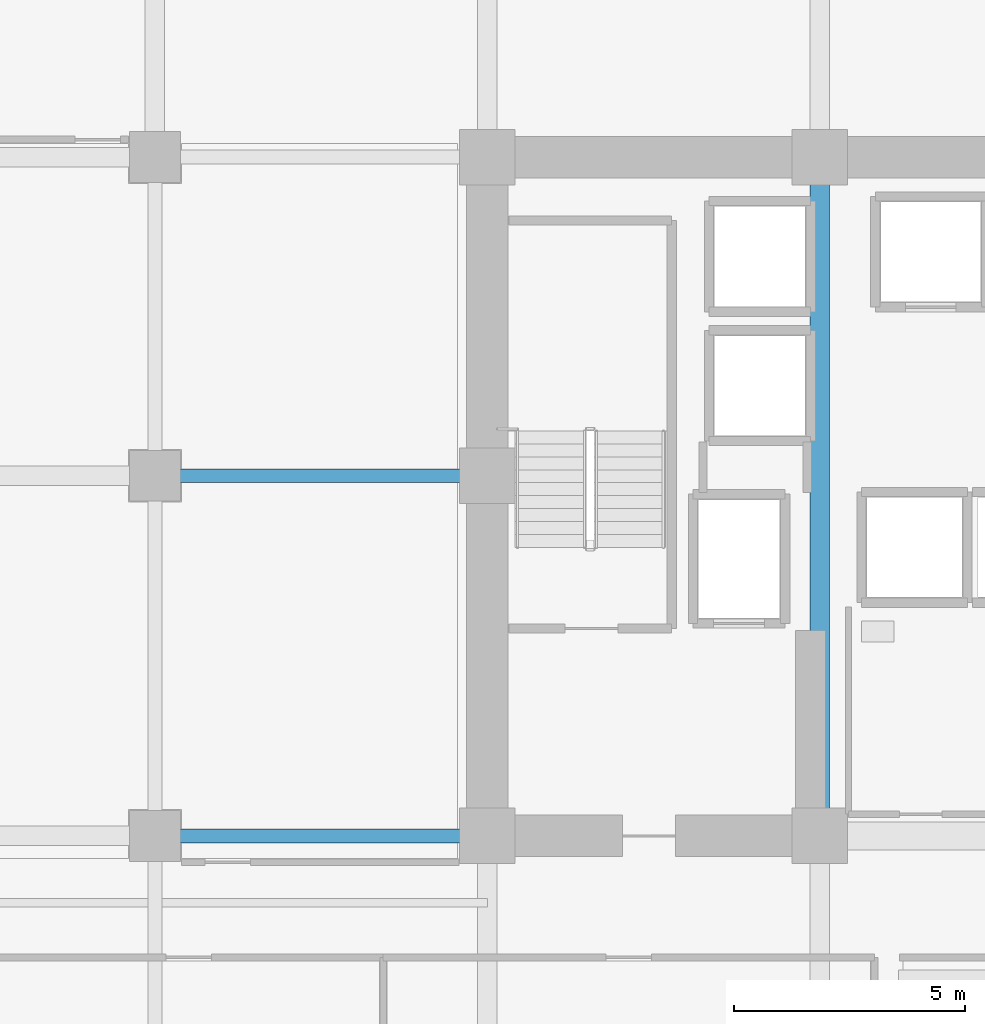
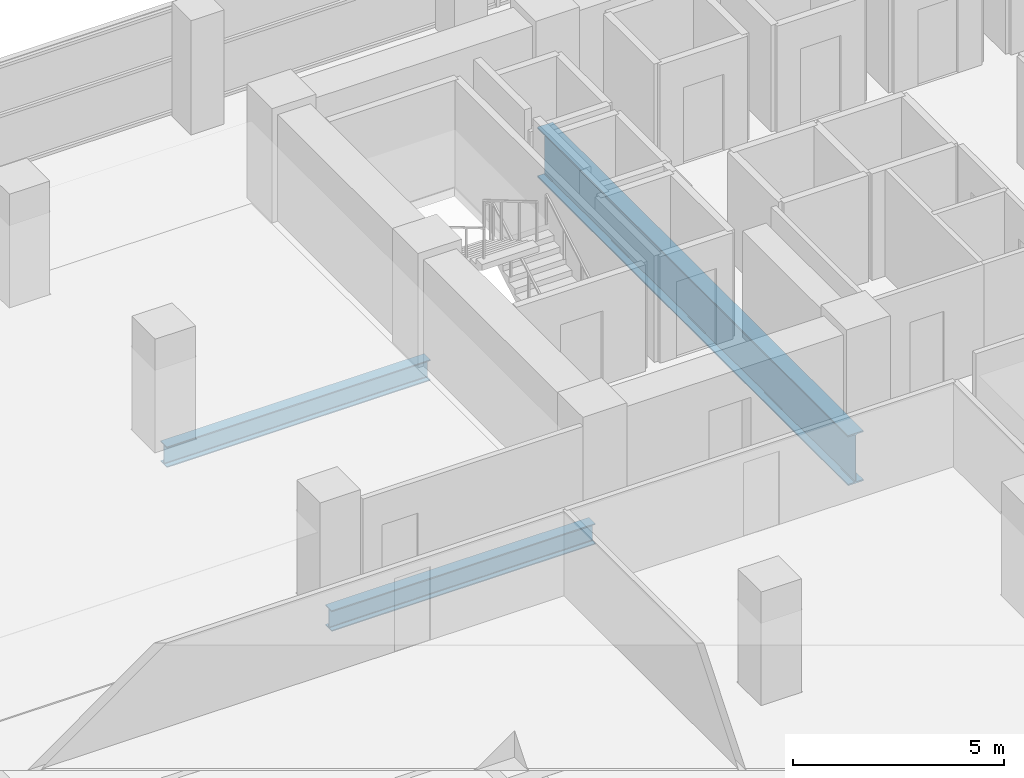
# One storey, part 8 of 32: 3 beams.
"""IFC4 building model written with IfcOpenShell, lengths in metres."""

from ifc_helpers import new_model, si_unit, direction, frame, origin, origin_2d, place, context, subcontext, project, spatial, i_section, extrude, material, material_profile, profile_set, type_object, element, save


model = new_model("IFC4")

# Units and contexts
model_context = context("Model", 3, precision=1e-05, world=origin(), true_north=direction((0.0, 1.0)))
body_context = subcontext(model_context, "Body", "Model", "MODEL_VIEW")
ifc_project = project(units=[si_unit("LENGTHUNIT", "METRE"), si_unit("AREAUNIT", "SQUARE_METRE"), si_unit("VOLUMEUNIT", "CUBIC_METRE"), si_unit("PLANEANGLEUNIT", "RADIAN"), si_unit("MASSUNIT", "GRAM", prefix="KILO")], contexts=[model_context])

# Site, building, storey
site_placement = place(None, origin())
site = spatial("IfcSite", under=ifc_project, at=site_placement, CompositionType="ELEMENT")
building_placement = place(site_placement, origin())
building = spatial("IfcBuilding", under=site, at=building_placement, Name="Zarnakvel Exchange Tower", CompositionType="ELEMENT")
storey_placement = place(building_placement, frame((0.0, 0.0, 27.39990234375)))
storey = spatial("IfcBuildingStorey", under=building, at=storey_placement, Name="L06", CompositionType="ELEMENT", Elevation=27.39990234375)

# Beams
ifc_material_1 = material(Name="Steel S355", Category="steel")
ifc_material_profile_1 = material_profile(ifc_material_1, i_section(OverallWidth=0.300048828125, OverallDepth=0.60009765625, WebThickness=0.015380859375, FlangeThickness=0.030029296875, FilletRadius=0.027099609375, at=origin_2d()))
ifc_profile_set_1 = profile_set([ifc_material_profile_1], Name="Steel S355")
beam_type_1 = type_object("IfcBeamType", Name="G-04", PredefinedType="BEAM", material=ifc_profile_set_1)
for number, where, z_axis, x_axis, name in (
    (1, (-21.60009765625, -1.199951171875, -0.5498046875), (1.0, 0.0, 0.0), (0.0, 1.0, 0.0), "L06 Tower E-W Frame Beam"),
    (2, (-21.60009765625, 6.60009765625, -0.5498046875), (1.0, 0.0, 0.0), (0.0, 1.0, 0.0), "L06 Tower E-W Frame Beam"),
):
    element("IfcBeam", number, at=place(storey_placement, frame(where, z_axis=z_axis, x_axis=x_axis)), inside=storey, type_object=beam_type_1, Name=name, PredefinedType="BEAM", context=body_context, shape_type="SweptSolid", body=[
        extrude(i_section(OverallWidth=0.300048828125, OverallDepth=0.60009765625, WebThickness=0.015380859375, FlangeThickness=0.030029296875, FilletRadius=0.027099609375, at=origin_2d()), origin(), (0.0, 0.0, 1.0), 7.2001953125),
    ])
ifc_material_2 = material(Name="Steel S460", Category="steel")
ifc_material_profile_2 = material_profile(ifc_material_2, i_section(OverallWidth=0.419921875, OverallDepth=1.449951171875, WebThickness=0.02392578125, FlangeThickness=0.0400390625, FilletRadius=0.030029296875, at=origin_2d()))
ifc_profile_set_2 = profile_set([ifc_material_profile_2], Name="Steel S460")
beam_type_2 = type_object("IfcBeamType", Name="TG-01", PredefinedType="BEAM", material=ifc_profile_set_2)
beam_placement = place(storey_placement, frame((-7.199951171875, -1.199951171875, -0.974853515625), z_axis=(0.0, 1.0, 0.0), x_axis=(-1.0, 0.0, 0.0)))
element("IfcBeam", 3, at=beam_placement, inside=storey, type_object=beam_type_2, Name="L06 North Backspan Transfer TN-5", PredefinedType="BEAM", context=body_context, shape_type="SweptSolid", body=[
    extrude(i_section(OverallWidth=0.419921875, OverallDepth=1.449951171875, WebThickness=0.02392578125, FlangeThickness=0.0400390625, FilletRadius=0.030029296875, at=origin_2d()), origin(), (0.0, 0.0, 1.0), 14.699951171875),
])

save(model, "model.ifc")
